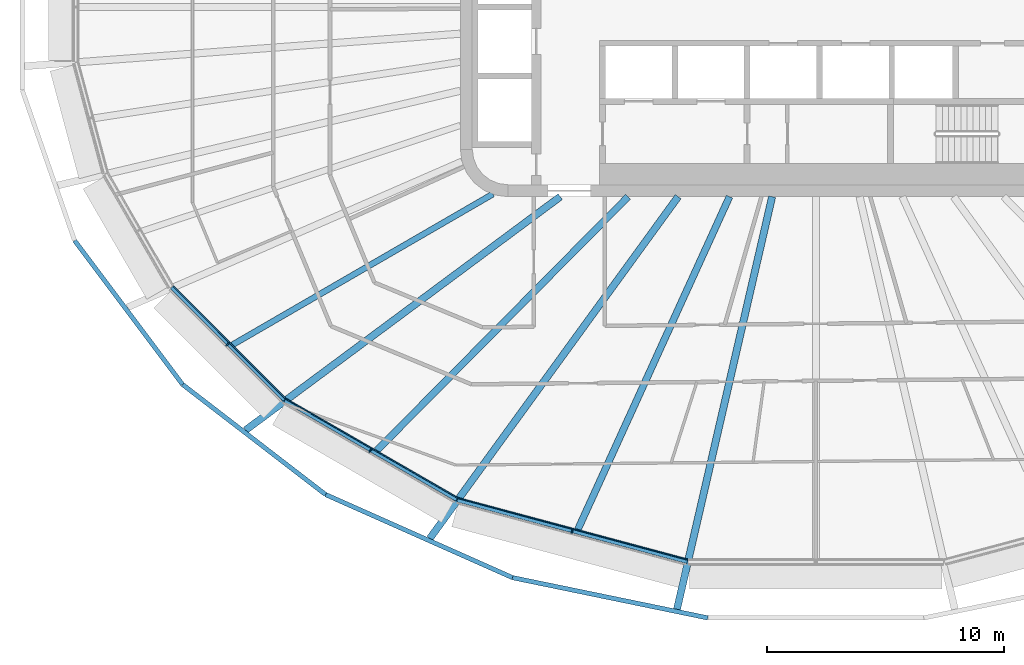
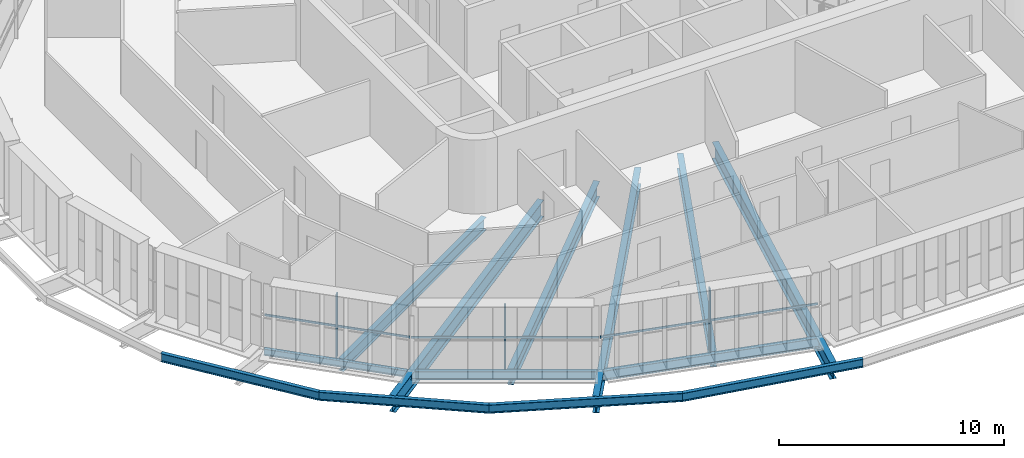
# One storey, part 1 of 23: 13 beams, 6 members, 3 elements without a shape of their own.
"""IFC4 building model written with IfcOpenShell, lengths in metres."""

from ifc_helpers import new_model, si_unit, direction, frame, origin, origin_2d, place, context, subcontext, project, spatial, rectangle, i_section, extrude, material, layer, layer_set, material_profile, profile_set, type_object, element, aggregate, save


model = new_model("IFC4")

# Units and contexts
model_context = context("Model", 3, precision=1e-05, world=origin(), true_north=direction((0.0, 1.0)))
body_context = subcontext(model_context, "Body", "Model", "MODEL_VIEW")
ifc_project = project(units=[si_unit("LENGTHUNIT", "METRE"), si_unit("AREAUNIT", "SQUARE_METRE"), si_unit("VOLUMEUNIT", "CUBIC_METRE"), si_unit("PLANEANGLEUNIT", "RADIAN"), si_unit("MASSUNIT", "GRAM", prefix="KILO")], contexts=[model_context])

# Site, building, storey
site_placement = place(None, origin())
site = spatial("IfcSite", under=ifc_project, at=site_placement, CompositionType="ELEMENT")
building_placement = place(site_placement, origin())
building = spatial("IfcBuilding", under=site, at=building_placement, Name="Sahrelin Media Tower", CompositionType="ELEMENT")
storey_placement = place(building_placement, frame((0.0, 0.0, 157.60009765625)))
storey = spatial("IfcBuildingStorey", under=building, at=storey_placement, Name="L32", CompositionType="ELEMENT", Elevation=157.60009765625)

# Beams
ifc_material_1 = material(Name="Steel S355", Category="steel")
ifc_material_profile_1 = material_profile(ifc_material_1, i_section(OverallWidth=0.17138671875, OverallDepth=0.35498046875, WebThickness=0.00732421875, FlangeThickness=0.011474609375, FilletRadius=0.01025390625, at=origin_2d()), Name="UB 356x171x51")
ifc_profile_set_1 = profile_set([ifc_material_profile_1], Name="Steel S355")
beam_type_1 = type_object("IfcBeamType", Name="Edge beam EB3", PredefinedType="BEAM", material=ifc_profile_set_1)
beam_1_placement = place(storey_placement, frame((-22.424072265625, -16.564697265625, -0.32763671875), z_axis=(-0.707088574851, 0.707124987054, 0.0), x_axis=(-0.707124987054, -0.707088574851, 0.0)))
element("IfcBeam", 1, at=beam_1_placement, inside=storey, type_object=beam_type_1, Name="Edge beam L32-10", PredefinedType="BEAM", context=body_context, shape_type="SweptSolid", body=[
    extrude(i_section(OverallWidth=0.17138671875, OverallDepth=0.35498046875, WebThickness=0.00732421875, FlangeThickness=0.011474609375, FilletRadius=0.01025390625, at=origin_2d()), origin(), (0.0, 0.0, 1.0), 6.704833984375),
])
ifc_material_profile_2 = material_profile(ifc_material_1, i_section(OverallWidth=0.1904296875, OverallDepth=0.45703125, WebThickness=0.009033203125, FlangeThickness=0.014404296875, FilletRadius=0.01025390625, at=origin_2d()), Name="UB 457x191x74")
ifc_profile_set_2 = profile_set([ifc_material_profile_2], Name="Steel S355")
beam_type_2 = type_object("IfcBeamType", Name="Edge beam EB5", PredefinedType="BEAM", material=ifc_profile_set_2)
beam_2_placement = place(storey_placement, frame((-15.15087890625, -20.76806640625, -0.378662109375), z_axis=(-0.866019985848, 0.500009384024, 0.0), x_axis=(-0.500009384024, -0.866019985848, 0.0)))
element("IfcBeam", 2, at=beam_2_placement, inside=storey, type_object=beam_type_2, Name="Edge beam L32-09", PredefinedType="BEAM", context=body_context, shape_type="SweptSolid", body=[
    extrude(i_section(OverallWidth=0.1904296875, OverallDepth=0.45703125, WebThickness=0.009033203125, FlangeThickness=0.014404296875, FilletRadius=0.01025390625, at=origin_2d()), origin(), (0.0, 0.0, 1.0), 8.371826171875),
])
ifc_material_profile_3 = material_profile(ifc_material_1, i_section(OverallWidth=0.208740234375, OverallDepth=0.5283203125, WebThickness=0.009521484375, FlangeThickness=0.01318359375, FilletRadius=0.0126953125, at=origin_2d()), Name="UB 533x210x82")
ifc_profile_set_3 = profile_set([ifc_material_profile_3], Name="Steel S355")
beam_type_3 = type_object("IfcBeamType", Name="Edge beam EB6", PredefinedType="BEAM", material=ifc_profile_set_3)
beam_3_placement = place(storey_placement, frame((-5.422607421875, -23.378662109375, -0.414306640625), z_axis=(-0.965924398273, 0.258824374473, 0.0), x_axis=(-0.258824374473, -0.965924398273, 0.0)))
element("IfcBeam", 3, at=beam_3_placement, inside=storey, type_object=beam_type_3, Name="Edge beam L32-08", PredefinedType="BEAM", context=body_context, shape_type="SweptSolid", body=[
    extrude(i_section(OverallWidth=0.208740234375, OverallDepth=0.5283203125, WebThickness=0.009521484375, FlangeThickness=0.01318359375, FilletRadius=0.0126953125, at=origin_2d()), origin(), (0.0, 0.0, 1.0), 10.0439453125),
])

# Curtain wall, member
ifc_material_2 = material(Name="Champagne anodised aluminium 6063-T6", Category="aluminium")
ifc_layer = layer(ifc_material_2, 0.14990234375)
ifc_layer_set = layer_set([ifc_layer], Name="Tower ribbon curtain wall")
curtain_wall_type = type_object("IfcCurtainWallType", Name="Tower ribbon curtain wall", PredefinedType="NOTDEFINED", material=ifc_layer_set)
curtain_wall_1_placement = place(storey_placement, frame((-24.900634765625, -14.30029296875, 0.0), z_axis=(0.0, 0.0, 1.0), x_axis=(1.0, 0.0, 0.0)))
curtain_wall_1 = element("IfcCurtainWall", 4, at=curtain_wall_1_placement, inside=storey, type_object=curtain_wall_type, Name="L32:CW:L32-15", PredefinedType="NOTDEFINED")
ifc_material_profile_4 = material_profile(ifc_material_2, rectangle(XDim=0.06005859375, YDim=0.175048828125, at=origin_2d()), Name="Mullion 60x175")
ifc_profile_set_4 = profile_set([ifc_material_profile_4], Name="Champagne anodised aluminium 6063-T6")
member_type_1 = type_object("IfcMemberType", Name="Mullion 60x175 CW1B", PredefinedType="MULLION", material=ifc_profile_set_4)
member_1_placement = place(storey_placement, frame((-24.824462890625, -14.22412109375, 0.0), z_axis=(0.0, 0.0, 1.0), x_axis=(0.707106781187, -0.707106781187, 0.0)))
member_1 = element("IfcMember", 5, at=member_1_placement, type_object=member_type_1, Name="L32:CWM:L32-15", PredefinedType="MULLION", context=body_context, shape_type="SweptSolid", body=[
    extrude(rectangle(XDim=0.06005859375, YDim=0.175048828125, at=origin_2d()), origin(), (0.0, 0.0, 1.0), 3.448486328125),
])

curtain_wall_2_placement = place(storey_placement, frame((-18.85107421875, -18.804931640625, 0.0), z_axis=(0.0, 0.0, 1.0), x_axis=(1.0, 0.0, 0.0)))
curtain_wall_2 = element("IfcCurtainWall", 6, at=curtain_wall_2_placement, inside=storey, type_object=curtain_wall_type, Name="L32:CW:L32-16", PredefinedType="NOTDEFINED")
member_2_placement = place(storey_placement, frame((-18.797119140625, -18.7119140625, 0.0), z_axis=(0.0, 0.0, 1.0), x_axis=(0.866025403784, -0.5, 0.0)))
member_2 = element("IfcMember", 7, at=member_2_placement, type_object=member_type_1, Name="L32:CWM:L32-16", PredefinedType="MULLION", context=body_context, shape_type="SweptSolid", body=[
    extrude(rectangle(XDim=0.06005859375, YDim=0.175048828125, at=origin_2d()), origin(), (0.0, 0.0, 1.0), 3.448486328125),
])

curtain_wall_3_placement = place(storey_placement, frame((-10.312255859375, -22.2236328125, 0.0), z_axis=(0.0, 0.0, 1.0), x_axis=(1.0, 0.0, 0.0)))
curtain_wall_3 = element("IfcCurtainWall", 8, at=curtain_wall_3_placement, inside=storey, type_object=curtain_wall_type, Name="L32:CW:L32-17", PredefinedType="NOTDEFINED")
member_3_placement = place(storey_placement, frame((-10.284423828125, -22.119873046875, 0.0), z_axis=(0.0, 0.0, 1.0), x_axis=(0.965926729732, -0.258815673384, 0.0)))
member_3 = element("IfcMember", 9, at=member_3_placement, type_object=member_type_1, Name="L32:CWM:L32-17", PredefinedType="MULLION", context=body_context, shape_type="SweptSolid", body=[
    extrude(rectangle(XDim=0.06005859375, YDim=0.175048828125, at=origin_2d()), origin(), (0.0, 0.0, 1.0), 3.448486328125),
])

# Beams
ifc_material_profile_5 = material_profile(ifc_material_1, i_section(OverallWidth=0.30322265625, OverallDepth=0.903076171875, WebThickness=0.01513671875, FlangeThickness=0.020263671875, FilletRadius=0.01904296875, at=origin_2d()), Name="UB 914x305x201")
ifc_profile_set_5 = profile_set([ifc_material_profile_5], Name="Steel S355")
beam_type_4 = type_object("IfcBeamType", Name="Radial primary beam PB11", PredefinedType="BEAM", material=ifc_profile_set_5)
beam_4_placement = place(storey_placement, frame((-10.784423828125, -8.0, -0.6015625), z_axis=(-0.80315204966, -0.595774105788, 0.0), x_axis=(0.595774105788, -0.80315204966, 0.0)))
element("IfcBeam", 10, at=beam_4_placement, inside=storey, type_object=beam_type_4, Name="Radial beam L32-16", PredefinedType="BEAM", context=body_context, shape_type="SweptSolid", body=[
    extrude(i_section(OverallWidth=0.30322265625, OverallDepth=0.903076171875, WebThickness=0.01513671875, FlangeThickness=0.020263671875, FilletRadius=0.01904296875, at=origin_2d()), origin(), (0.0, 0.0, 1.0), 16.532470703125),
])
beam_5_placement = place(storey_placement, frame((-5.8125, -8.0, -0.6015625), z_axis=(-0.587799399778, -0.809006715436, 0.0), x_axis=(0.809006715436, -0.587799399778, 0.0)))
element("IfcBeam", 11, at=beam_5_placement, inside=storey, type_object=beam_type_4, Name="Radial beam L32-17", PredefinedType="BEAM", context=body_context, shape_type="SweptSolid", body=[
    extrude(i_section(OverallWidth=0.30322265625, OverallDepth=0.903076171875, WebThickness=0.01513671875, FlangeThickness=0.020263671875, FilletRadius=0.01904296875, at=origin_2d()), origin(), (0.0, 0.0, 1.0), 17.822021484375),
])
beam_6_placement = place(storey_placement, frame((-1.845458984375, -8.0, -0.6015625), z_axis=(-0.224757698431, -0.974414684308, 0.0), x_axis=(0.974414684308, -0.224757698431, 0.0)))
element("IfcBeam", 12, at=beam_6_placement, inside=storey, type_object=beam_type_4, Name="Radial beam L32-18", PredefinedType="BEAM", context=body_context, shape_type="SweptSolid", body=[
    extrude(i_section(OverallWidth=0.30322265625, OverallDepth=0.903076171875, WebThickness=0.01513671875, FlangeThickness=0.020263671875, FilletRadius=0.01904296875, at=origin_2d()), origin(), (0.0, 0.0, 1.0), 17.8642578125),
])
ifc_material_profile_6 = material_profile(ifc_material_1, i_section(OverallWidth=0.291748046875, OverallDepth=0.8349609375, WebThickness=0.013916015625, FlangeThickness=0.018798828125, FilletRadius=0.017822265625, at=origin_2d()), Name="UB 838x292x176")
ifc_profile_set_6 = profile_set([ifc_material_profile_6], Name="Steel S355")
beam_type_5 = type_object("IfcBeamType", Name="Radial secondary beam SB10", PredefinedType="BEAM", material=ifc_profile_set_6)
beam_7_placement = place(storey_placement, frame((-7.921142578125, -8.0, -0.567626953125), z_axis=(-0.703599162107, -0.710597086317, 0.0), x_axis=(0.710597086317, -0.703599162107, 0.0)))
element("IfcBeam", 13, at=beam_7_placement, inside=storey, type_object=beam_type_5, Name="Secondary beam L32-16", PredefinedType="BEAM", context=body_context, shape_type="SweptSolid", body=[
    extrude(i_section(OverallWidth=0.291748046875, OverallDepth=0.8349609375, WebThickness=0.013916015625, FlangeThickness=0.018798828125, FilletRadius=0.017822265625, at=origin_2d()), origin(), (0.0, 0.0, 1.0), 15.071533203125),
])
beam_8_placement = place(storey_placement, frame((-3.64501953125, -8.0, -0.567626953125), z_axis=(-0.414613847662, -0.909997449077, 0.0), x_axis=(0.909997449077, -0.414613847662, 0.0)))
element("IfcBeam", 14, at=beam_8_placement, inside=storey, type_object=beam_type_5, Name="Secondary beam L32-17", PredefinedType="BEAM", context=body_context, shape_type="SweptSolid", body=[
    extrude(i_section(OverallWidth=0.291748046875, OverallDepth=0.8349609375, WebThickness=0.013916015625, FlangeThickness=0.018798828125, FilletRadius=0.017822265625, at=origin_2d()), origin(), (0.0, 0.0, 1.0), 15.421630859375),
])
ifc_material_profile_7 = material_profile(ifc_material_1, i_section(OverallWidth=0.2529296875, OverallDepth=0.677978515625, WebThickness=0.01171875, FlangeThickness=0.01611328125, FilletRadius=0.01513671875, at=origin_2d()), Name="UB 686x254x125")
ifc_profile_set_7 = profile_set([ifc_material_profile_7], Name="Steel S355")
beam_type_6 = type_object("IfcBeamType", Name="Radial secondary beam SB8", PredefinedType="BEAM", material=ifc_profile_set_7)
beam_9_placement = place(storey_placement, frame((-13.624755859375, -7.887451171875, -0.489013671875), z_axis=(-0.865442516247, -0.501008234535, 0.0), x_axis=(0.501008234535, -0.865442516247, 0.0)))
element("IfcBeam", 15, at=beam_9_placement, inside=storey, type_object=beam_type_6, Name="Secondary beam L32-15", PredefinedType="BEAM", context=body_context, shape_type="SweptSolid", body=[
    extrude(i_section(OverallWidth=0.2529296875, OverallDepth=0.677978515625, WebThickness=0.01171875, FlangeThickness=0.01611328125, FilletRadius=0.01513671875, at=origin_2d()), origin(), (0.0, 0.0, 1.0), 12.700927734375),
])
ifc_material_profile_8 = material_profile(ifc_material_1, i_section(OverallWidth=0.1904296875, OverallDepth=0.45703125, WebThickness=0.009033203125, FlangeThickness=0.014404296875, FilletRadius=0.01025390625, at=origin_2d()), Name="UB 457x191x74")
ifc_profile_set_8 = profile_set([ifc_material_profile_8], Name="Steel S355")
beam_type_7 = type_object("IfcBeamType", Name="Tie chord TC5", PredefinedType="BEAM", material=ifc_profile_set_8)
beam_10_placement = place(storey_placement, frame((-31.277099609375, -9.849853515625, -0.378662109375), z_axis=(0.600072024218, -0.79994597677, 0.0), x_axis=(0.79994597677, 0.600072024218, 0.0)))
element("IfcBeam", 16, at=beam_10_placement, inside=storey, type_object=beam_type_7, Name="Tie chord L32-14", PredefinedType="BEAM", context=body_context, shape_type="SweptSolid", body=[
    extrude(i_section(OverallWidth=0.1904296875, OverallDepth=0.45703125, WebThickness=0.009033203125, FlangeThickness=0.014404296875, FilletRadius=0.01025390625, at=origin_2d()), origin(), (0.0, 0.0, 1.0), 7.5927734375),
])
beam_11_placement = place(storey_placement, frame((-26.720947265625, -15.923583984375, -0.378662109375), z_axis=(0.792433203357, -0.609958702058, 0.0), x_axis=(0.609958702058, 0.792433203357, 0.0)))
element("IfcBeam", 17, at=beam_11_placement, inside=storey, type_object=beam_type_7, Name="Tie chord L32-15", PredefinedType="BEAM", context=body_context, shape_type="SweptSolid", body=[
    extrude(i_section(OverallWidth=0.1904296875, OverallDepth=0.45703125, WebThickness=0.009033203125, FlangeThickness=0.014404296875, FilletRadius=0.01025390625, at=origin_2d()), origin(), (0.0, 0.0, 1.0), 7.61279296875),
])
beam_12_placement = place(storey_placement, frame((-20.688232421875, -20.567138671875, -0.378662109375), z_axis=(0.913840692813, -0.406072885279, 0.0), x_axis=(0.406072885279, 0.913840692813, 0.0)))
element("IfcBeam", 18, at=beam_12_placement, inside=storey, type_object=beam_type_7, Name="Tie chord L32-16", PredefinedType="BEAM", context=body_context, shape_type="SweptSolid", body=[
    extrude(i_section(OverallWidth=0.1904296875, OverallDepth=0.45703125, WebThickness=0.009033203125, FlangeThickness=0.014404296875, FilletRadius=0.01025390625, at=origin_2d()), origin(), (0.0, 0.0, 1.0), 8.63525390625),
])
beam_13_placement = place(storey_placement, frame((-12.796875, -24.07373046875, -0.378662109375), z_axis=(0.979385685737, -0.201999204388, 0.0), x_axis=(0.201999204388, 0.979385685737, 0.0)))
element("IfcBeam", 19, at=beam_13_placement, inside=storey, type_object=beam_type_7, Name="Tie chord L32-17", PredefinedType="BEAM", context=body_context, shape_type="SweptSolid", body=[
    extrude(i_section(OverallWidth=0.1904296875, OverallDepth=0.45703125, WebThickness=0.009033203125, FlangeThickness=0.014404296875, FilletRadius=0.01025390625, at=origin_2d()), origin(), (0.0, 0.0, 1.0), 8.414306640625),
])

# Member
ifc_material_profile_9 = material_profile(ifc_material_2, rectangle(XDim=0.050048828125, YDim=0.110107421875, at=origin_2d()), Name="Transom 50x110")
ifc_profile_set_9 = profile_set([ifc_material_profile_9], Name="Champagne anodised aluminium 6063-T6")
member_type_2 = type_object("IfcMemberType", Name="Transom 50x110 CW1B", PredefinedType="USERDEFINED", material=ifc_profile_set_9)
member_4_placement = place(storey_placement, frame((-27.1044921875, -11.78515625, 1.599853515625), z_axis=(0.707125072767, -0.707088489133, 0.0), x_axis=(0.707088489133, 0.707125072767, 0.0)))
member_4 = element("IfcMember", 20, at=member_4_placement, type_object=member_type_2, Name="L32:CWT:L32-15", ObjectType="TRANSOM", PredefinedType="USERDEFINED", context=body_context, shape_type="SweptSolid", body=[
    extrude(rectangle(XDim=0.050048828125, YDim=0.110107421875, at=origin_2d()), origin(), (0.0, 0.0, 1.0), 6.673583984375),
])

aggregate(curtain_wall_1, [member_1, member_4])

member_5_placement = place(storey_placement, frame((-22.3525390625, -16.529296875, 1.599853515625), z_axis=(0.866018876994, -0.500011304563, 0.0), x_axis=(0.500011304563, 0.866018876994, 0.0)))
member_5 = element("IfcMember", 21, at=member_5_placement, type_object=member_type_2, Name="L32:CWT:L32-16", ObjectType="TRANSOM", PredefinedType="USERDEFINED", context=body_context, shape_type="SweptSolid", body=[
    extrude(rectangle(XDim=0.050048828125, YDim=0.110107421875, at=origin_2d()), origin(), (0.0, 0.0, 1.0), 8.340576171875),
])

aggregate(curtain_wall_2, [member_2, member_5])

member_6_placement = place(storey_placement, frame((-15.091064453125, -20.715576171875, 1.599853515625), z_axis=(0.965929113775, -0.258806775726, 0.0), x_axis=(0.258806775726, 0.965929113775, 0.0)))
member_6 = element("IfcMember", 22, at=member_6_placement, type_object=member_type_2, Name="L32:CWT:L32-17", ObjectType="TRANSOM", PredefinedType="USERDEFINED", context=body_context, shape_type="SweptSolid", body=[
    extrude(rectangle(XDim=0.050048828125, YDim=0.110107421875, at=origin_2d()), origin(), (0.0, 0.0, 1.0), 10.012451171875),
])

aggregate(curtain_wall_3, [member_3, member_6])

save(model, "model.ifc")
